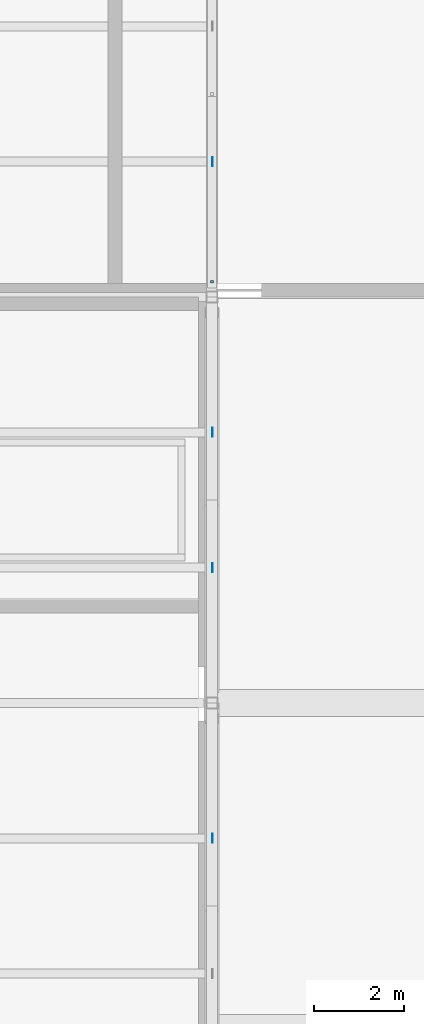
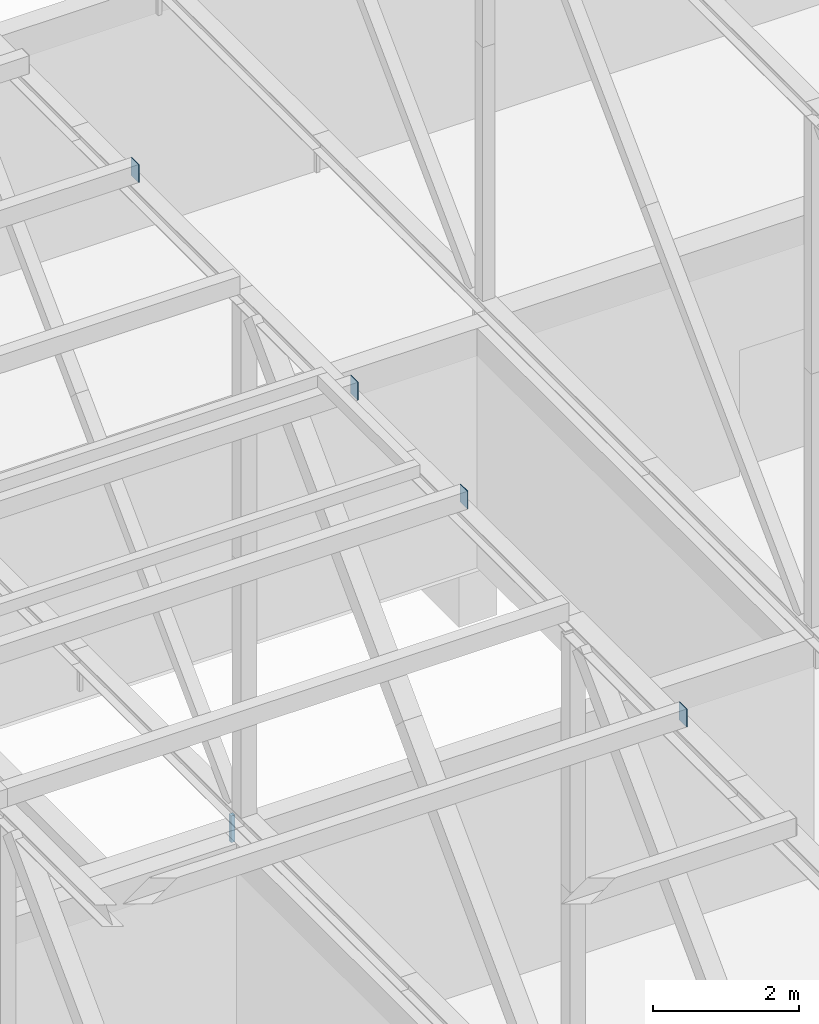
# One storey, part 200 of 646: 5 discrete accessories.
"""IFC4 building model written with IfcOpenShell, lengths in metres."""

import ifcopenshell
import ifcopenshell.guid

model = None  # the IFC model being written
_history = None  # IfcOwnerHistory: only IFC2X3 demands one
_inside = {}  # id of a spatial element -> (the spatial element, [elements in it])
_under = {}  # id of a project, library or spatial element -> (it, [spatial elements below it])
_declared = {}  # id of a project -> (the project, [libraries it declares])
_typed = {}  # id of a type object -> (the type object, [elements of that type])
_made_of = {}  # id of a material, layer set ... -> (it, [elements and type objects made of it])


def new_model(schema):
    """Start an empty IFC model of exactly this schema.

    Asked for "IFC4X3", IfcOpenShell would pick the latest addendum, in which some entities
    have other attributes; the version numbers below select the first issue.
    IFC2X3 requires an IfcOwnerHistory on every rooted entity: one is made here for all.
    """
    global model, _history
    if schema == "IFC4X3":
        model = ifcopenshell.file(schema_version=(4, 3, 0, 0))
    else:
        model = ifcopenshell.file(schema=schema)
    _inside.clear()
    _under.clear()
    _declared.clear()
    _typed.clear()
    _made_of.clear()
    _history = None
    if model.schema == "IFC2X3":
        org = make("IfcOrganization", Name="unknown")
        user = make(
            "IfcPersonAndOrganization",
            ThePerson=make("IfcPerson", FamilyName="unknown"),
            TheOrganization=org,
        )
        app = make(
            "IfcApplication",
            ApplicationDeveloper=org,
            Version="unknown",
            ApplicationFullName="unknown",
            ApplicationIdentifier="unknown",
        )
        _history = make(
            "IfcOwnerHistory",
            OwningUser=user,
            OwningApplication=app,
            ChangeAction="ADDED",
            CreationDate=0,
        )
    return model


def make(cls, **values):
    """One entity of the class cls with the attributes given. An attribute that is None is left unset."""
    return model.create_entity(
        cls, **{name: value for name, value in values.items() if value is not None}
    )


def rooted(cls, **values):
    """An entity with a GlobalId (a new one), such as an element, a storey or a relation."""
    return make(cls, GlobalId=ifcopenshell.guid.new(), OwnerHistory=_history, **values)


def si_unit(unit_type, name, prefix=None):
    """IfcSIUnit, for example si_unit("LENGTHUNIT", "METRE", prefix="MILLI")."""
    return make("IfcSIUnit", UnitType=unit_type, Prefix=prefix, Name=name)


def assignment(units):
    """IfcUnitAssignment: the units of a project."""
    return None if units is None else make("IfcUnitAssignment", Units=units)


def point(xyz):
    """IfcCartesianPoint."""
    return None if xyz is None else make("IfcCartesianPoint", Coordinates=xyz)


def direction(xyz):
    """IfcDirection."""
    return None if xyz is None else make("IfcDirection", DirectionRatios=xyz)


def frame(location, z_axis=None, x_axis=None):
    """IfcAxis2Placement3D, a coordinate frame: its origin and axes. An axis left out is left unset."""
    return make(
        "IfcAxis2Placement3D",
        Location=point(location),
        Axis=direction(z_axis),
        RefDirection=direction(x_axis),
    )


def frame_2d(location, x_axis=None):
    """IfcAxis2Placement2D, a coordinate frame in the plane: its origin and x axis."""
    return make(
        "IfcAxis2Placement2D", Location=point(location), RefDirection=direction(x_axis)
    )


def origin():
    """The frame at (0, 0, 0) with its axes left unset."""
    return frame((0.0, 0.0, 0.0))


def origin_2d():
    """The frame at (0, 0) in the plane with its x axis left unset."""
    return frame_2d((0.0, 0.0))


def place(relative_to, where):
    """IfcLocalPlacement: puts the frame where relative to a parent placement (None: the world)."""
    return make(
        "IfcLocalPlacement", PlacementRelTo=relative_to, RelativePlacement=where
    )


def context(
    kind, dimensions, precision=None, world=None, true_north=None, identifier=None
):
    """IfcGeometricRepresentationContext, for example the 3D "Model" context."""
    return make(
        "IfcGeometricRepresentationContext",
        ContextIdentifier=identifier,
        ContextType=kind,
        CoordinateSpaceDimension=dimensions,
        Precision=precision,
        WorldCoordinateSystem=world,
        TrueNorth=true_north,
    )


def subcontext(parent, identifier, kind, view, scale=None):
    """IfcGeometricRepresentationSubContext, for example "Body" below "Model"."""
    return make(
        "IfcGeometricRepresentationSubContext",
        ContextIdentifier=identifier,
        ContextType=kind,
        ParentContext=parent,
        TargetScale=scale,
        TargetView=view,
    )


def project(units=None, contexts=None):
    """IfcProject with its units and contexts."""
    return rooted(
        "IfcProject",
        Name="project",
        RepresentationContexts=contexts,
        UnitsInContext=assignment(units),
    )


def spatial(cls, under=None, at=None, **own):
    """A site, building, storey or space (cls), placed at a placement, below another one or the project."""
    s = rooted(cls, ObjectPlacement=at, **own)
    if under is not None:
        _under.setdefault(under.id(), (under, []))[1].append(s)
    return s


def profile(cls, at=None, kind="AREA", **sizes):
    """A parametric profile (cls). Its sizes go by their IFC names, for example OverallWidth=200.0."""
    return make(cls, ProfileType=kind, Position=at, **sizes)


def rectangle(**sizes):
    """IfcRectangleProfileDef."""
    return profile("IfcRectangleProfileDef", **sizes)


def extrude(swept, where, along, depth):
    """IfcExtrudedAreaSolid: the profile swept, set in the frame where, extruded along a direction by depth."""
    return make(
        "IfcExtrudedAreaSolid",
        SweptArea=swept,
        Position=where,
        ExtrudedDirection=direction(along),
        Depth=depth,
    )


def shape(context_of_items, identifier, shape_type, items):
    """IfcShapeRepresentation: the items that make up one representation, for example the "Body"."""
    return make(
        "IfcShapeRepresentation",
        ContextOfItems=context_of_items,
        RepresentationIdentifier=identifier,
        RepresentationType=shape_type,
        Items=items,
    )


def material(Name=None, Category=None):
    """IfcMaterial."""
    return make("IfcMaterial", Name=Name, Category=Category)


def layer(
    of_material, thickness, ventilated=None, Name=None, Category=None, Priority=None
):
    """IfcMaterialLayer: one layer of a wall or slab, of a material (None: an air gap)."""
    return make(
        "IfcMaterialLayer",
        Material=of_material,
        LayerThickness=thickness,
        IsVentilated=ventilated,
        Name=Name,
        Category=Category,
        Priority=Priority,
    )


def layer_set(layers, Name=None):
    """IfcMaterialLayerSet."""
    return make("IfcMaterialLayerSet", MaterialLayers=layers, LayerSetName=Name)


def made_of(thing, what):
    """Note that an element or type object is made of a material, layer set ...; save() writes the relation."""
    if what is not None:
        _made_of.setdefault(what.id(), (what, []))[1].append(thing)
    return thing


def type_object(cls, material=None, **own):
    """A type object (cls), such as IfcWallType, which elements share."""
    return made_of(rooted(cls, **own), material)


def element(
    cls,
    number,
    at=None,
    inside=None,
    cuts=None,
    type_object=None,
    material=None,
    context=None,
    identifier="Body",
    shape_type=None,
    held_by="IfcProductDefinitionShape",
    body=None,
    shapes=None,
    **own,
):
    """One element of the class cls, such as IfcWall. Its Tag is "e" and its number.

    at: its placement. inside: the storey or other place that contains it. cuts: it is an
    opening in that element (IfcRelVoidsElement). A single representation is given by context,
    identifier, shape_type and body (its items); several are given by shapes. held_by: the class
    of the entity that holds the representations. save() writes the other relations.
    """
    e = rooted(cls, Tag="e%d" % number, ObjectPlacement=at, **own)
    if body is not None:
        shapes = [shape(context, identifier, shape_type, body)]
    if shapes is not None:
        e.Representation = make(held_by, Representations=shapes)
    if inside is not None:
        _inside.setdefault(inside.id(), (inside, []))[1].append(e)
    if cuts is not None:
        rooted(
            "IfcRelVoidsElement", RelatingBuildingElement=cuts, RelatedOpeningElement=e
        )
    if type_object is not None:
        _typed.setdefault(type_object.id(), (type_object, []))[1].append(e)
    return made_of(e, material)


def aggregate(whole, parts):
    """IfcRelAggregates: a whole, such as a stair, and the parts it consists of."""
    return rooted("IfcRelAggregates", RelatingObject=whole, RelatedObjects=parts)


def save(model, path):
    """Write the relations noted so far, then the file.

    IfcRelAggregates (storeys below a building ...), IfcRelContainedInSpatialStructure (elements
    in a storey), IfcRelDefinesByType, IfcRelAssociatesMaterial and IfcRelDeclares: one each for
    every whole, place, type object, material and project.
    """
    for whole, parts in _under.values():
        aggregate(whole, parts)
    for where, things in _inside.values():
        rooted(
            "IfcRelContainedInSpatialStructure",
            RelatedElements=things,
            RelatingStructure=where,
        )
    for kind, things in _typed.values():
        rooted("IfcRelDefinesByType", RelatedObjects=things, RelatingType=kind)
    for what, things in _made_of.values():
        rooted("IfcRelAssociatesMaterial", RelatedObjects=things, RelatingMaterial=what)
    for by, libraries in _declared.values():
        rooted("IfcRelDeclares", RelatingContext=by, RelatedDefinitions=libraries)
    model.write(path)


model = new_model("IFC4")

# Units and contexts
model_context = context("Model", 3, precision=1e-05, world=origin(), true_north=direction((0.0, 1.0)))
body_context = subcontext(model_context, "Body", "Model", "MODEL_VIEW")
ifc_project = project(units=[si_unit("LENGTHUNIT", "METRE"), si_unit("AREAUNIT", "SQUARE_METRE"), si_unit("VOLUMEUNIT", "CUBIC_METRE"), si_unit("PLANEANGLEUNIT", "RADIAN"), si_unit("MASSUNIT", "GRAM", prefix="KILO")], contexts=[model_context])

# Site, building, storey
site_placement = place(None, origin())
site = spatial("IfcSite", under=ifc_project, at=site_placement, CompositionType="ELEMENT")
building_placement = place(site_placement, origin())
building = spatial("IfcBuilding", under=site, at=building_placement, Name="Silverbay Arena", CompositionType="ELEMENT")
storey_placement = place(building_placement, frame((0.0, 0.0, 33.5)))
storey = spatial("IfcBuildingStorey", under=building, at=storey_placement, Name="L05", CompositionType="ELEMENT", Elevation=33.5)

# Discrete accessories
ifc_material_1 = material(Name="Steel S355", Category="steel")
discrete_accessory_type_1 = type_object("IfcDiscreteAccessoryType", Name="Ceiling hanger", PredefinedType="BRACKET", material=ifc_material_1)
discrete_accessory_placement = place(storey_placement, frame((81.0, 117.340087890625, 3.5498046875), z_axis=(0.0, 0.0, 1.0), x_axis=(1.0, 0.0, 0.0)))
element("IfcDiscreteAccessory", 1, at=discrete_accessory_placement, inside=storey, type_object=discrete_accessory_type_1, Name="Ceiling hanger", PredefinedType="BRACKET", context=body_context, shape_type="SweptSolid", body=[
    extrude(rectangle(XDim=0.06005859375, YDim=0.06005859375, at=origin_2d()), origin(), (0.0, 0.0, 1.0), 0.449951171875),
])
ifc_material_2 = material(Name="Steel S355", Category="steel")
ifc_layer = layer(ifc_material_2, 0.011962890625)
ifc_layer_set = layer_set([ifc_layer], Name="Steel S355")
discrete_accessory_type_2 = type_object("IfcDiscreteAccessoryType", Name="Purlin end plate 12", PredefinedType="USERDEFINED", material=ifc_layer_set)
for number, where, z_axis, x_axis, name in (
    (2, (81.0, 105.0, 13.14990234375), (1.0, 0.0, 0.0), (0.0, 1.0, 0.0), "Purlin end plate"),
    (3, (81.0, 111.0, 13.14990234375), (1.0, 0.0, 0.0), (0.0, 1.0, 0.0), "Purlin end plate"),
    (4, (81.0, 114.0, 13.14990234375), (1.0, 0.0, 0.0), (0.0, 1.0, 0.0), "Purlin end plate"),
    (5, (81.0, 120.0, 13.14990234375), (1.0, 0.0, 0.0), (0.0, 1.0, 0.0), "Purlin end plate"),
):
    element("IfcDiscreteAccessory", number, at=place(storey_placement, frame(where, z_axis=z_axis, x_axis=x_axis)), inside=storey, type_object=discrete_accessory_type_2, Name=name, ObjectType="END PLATE", PredefinedType="USERDEFINED", context=body_context, shape_type="SweptSolid", body=[
        extrude(rectangle(XDim=0.199951171875, YDim=0.300048828125, at=origin_2d()), origin(), (0.0, 0.0, 1.0), 0.011962890625),
    ])

save(model, "model.ifc")
